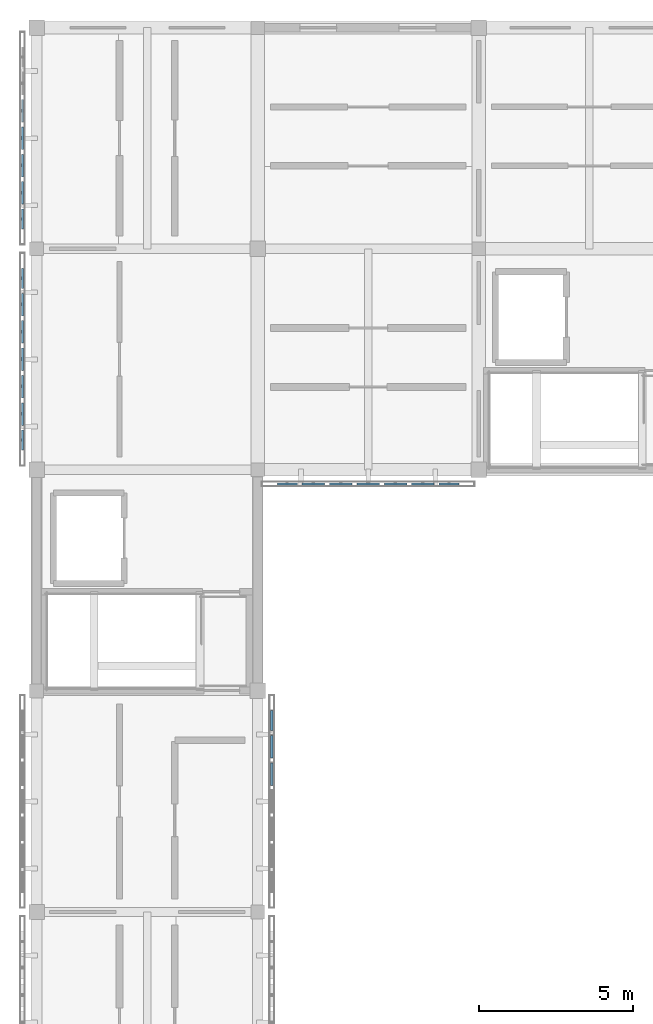
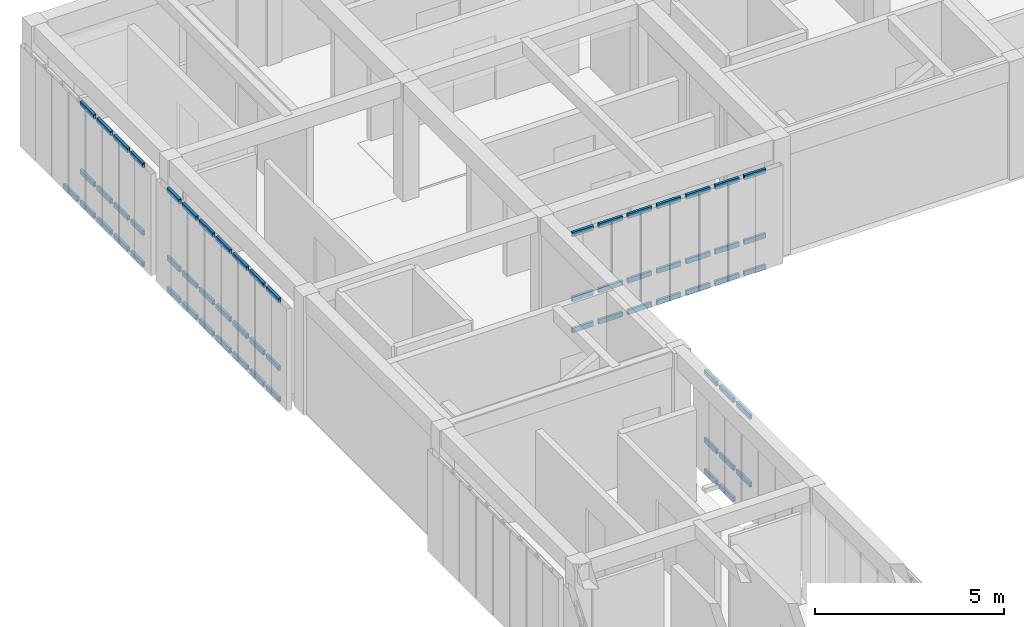
# One storey, part 5 of 14: 63 members, 4 elements without a shape of their own.
"""IFC4 building model written with IfcOpenShell, lengths in metres."""

from ifc_helpers import new_model, si_unit, direction, frame, origin, origin_2d, place, context, subcontext, project, spatial, hollow_rectangle, extrude, material, material_profile, profile_set, type_object, element, aggregate, save


model = new_model("IFC4")

# Units and contexts
model_context = context("Model", 3, precision=1e-05, world=origin(), true_north=direction((0.0, 1.0)))
body_context = subcontext(model_context, "Body", "Model", "MODEL_VIEW")
ifc_project = project(units=[si_unit("LENGTHUNIT", "METRE"), si_unit("AREAUNIT", "SQUARE_METRE"), si_unit("VOLUMEUNIT", "CUBIC_METRE"), si_unit("PLANEANGLEUNIT", "RADIAN"), si_unit("MASSUNIT", "GRAM", prefix="KILO")], contexts=[model_context])

# Site, building, storey
site_placement = place(None, origin())
site = spatial("IfcSite", under=ifc_project, at=site_placement, CompositionType="ELEMENT")
building_placement = place(site_placement, origin())
building = spatial("IfcBuilding", under=site, at=building_placement, Name="Aldebral Square Health Centre", CompositionType="ELEMENT")
storey_placement = place(building_placement, frame((0.0, 0.0, 21.60009765625)))
storey = spatial("IfcBuildingStorey", under=building, at=storey_placement, Name="L05", CompositionType="ELEMENT", Elevation=21.60009765625)

# Curtain wall, members
ifc_material_1 = material(Name="Aluminium and low-E solar glass", Category="aluminium")
curtain_wall_type = type_object("IfcCurtainWallType", Name="CW-FIN-SYS", PredefinedType="USERDEFINED", material=ifc_material_1)
curtain_wall_1_placement = place(storey_placement, origin())
curtain_wall_1 = element("IfcCurtainWall", 1, at=curtain_wall_1_placement, inside=storey, type_object=curtain_wall_type, Name="L05 V4 finned curtain wall L05-V4-00-12-E", ObjectType="SOLAR_CURTAIN_WALL", PredefinedType="USERDEFINED")
ifc_material_2 = material(Name="Anodised aluminium transom", Category="aluminium")
ifc_material_profile = material_profile(ifc_material_2, hollow_rectangle(XDim=0.074951171875, YDim=0.14990234375, WallThickness=0.00390625, at=origin_2d()), Name="CWT 75x150x4")
ifc_profile_set = profile_set([ifc_material_profile], Name="Anodised aluminium transom")
member_type = type_object("IfcMemberType", Name="CWT-STD", PredefinedType="USERDEFINED", material=ifc_profile_set)
member_1_placement = place(storey_placement, frame((7.659912109375, 90.525634765625, 1.0498046875), z_axis=(0.0, 1.0, 0.0), x_axis=(-1.0, 0.0, 0.0)))
member_1 = element("IfcMember", 2, at=member_1_placement, type_object=member_type, Name="CW1 transom 5.2", ObjectType="TRANSOM", PredefinedType="USERDEFINED", context=body_context, shape_type="SweptSolid", body=[
    extrude(hollow_rectangle(XDim=0.074951171875, YDim=0.14990234375, WallThickness=0.00390625, at=origin_2d()), origin(), (0.0, 0.0, 1.0), 0.7314453125),
])
member_2_placement = place(storey_placement, frame((7.659912109375, 90.525634765625, 3.242431640625), z_axis=(0.0, 1.0, 0.0), x_axis=(-1.0, 0.0, 0.0)))
member_2 = element("IfcMember", 3, at=member_2_placement, type_object=member_type, Name="CW1 transom 5.3", ObjectType="TRANSOM", PredefinedType="USERDEFINED", context=body_context, shape_type="SweptSolid", body=[
    extrude(hollow_rectangle(XDim=0.074951171875, YDim=0.14990234375, WallThickness=0.00390625, at=origin_2d()), origin(), (0.0, 0.0, 1.0), 0.7314453125),
])
member_3_placement = place(storey_placement, frame((7.659912109375, 91.417236328125, 0.037353515625), z_axis=(0.0, 1.0, 0.0), x_axis=(-1.0, 0.0, 0.0)))
member_3 = element("IfcMember", 4, at=member_3_placement, type_object=member_type, Name="CW1 transom 6.1", ObjectType="TRANSOM", PredefinedType="USERDEFINED", context=body_context, shape_type="SweptSolid", body=[
    extrude(hollow_rectangle(XDim=0.074951171875, YDim=0.14990234375, WallThickness=0.00390625, at=origin_2d()), origin(), (0.0, 0.0, 1.0), 0.7314453125),
])
member_4_placement = place(storey_placement, frame((7.659912109375, 91.417236328125, 1.0498046875), z_axis=(0.0, 1.0, 0.0), x_axis=(-1.0, 0.0, 0.0)))
member_4 = element("IfcMember", 5, at=member_4_placement, type_object=member_type, Name="CW1 transom 6.2", ObjectType="TRANSOM", PredefinedType="USERDEFINED", context=body_context, shape_type="SweptSolid", body=[
    extrude(hollow_rectangle(XDim=0.074951171875, YDim=0.14990234375, WallThickness=0.00390625, at=origin_2d()), origin(), (0.0, 0.0, 1.0), 0.7314453125),
])
member_5_placement = place(storey_placement, frame((7.659912109375, 91.417236328125, 3.242431640625), z_axis=(0.0, 1.0, 0.0), x_axis=(-1.0, 0.0, 0.0)))
member_5 = element("IfcMember", 6, at=member_5_placement, type_object=member_type, Name="CW1 transom 6.3", ObjectType="TRANSOM", PredefinedType="USERDEFINED", context=body_context, shape_type="SweptSolid", body=[
    extrude(hollow_rectangle(XDim=0.074951171875, YDim=0.14990234375, WallThickness=0.00390625, at=origin_2d()), origin(), (0.0, 0.0, 1.0), 0.7314453125),
])
member_6_placement = place(storey_placement, frame((7.659912109375, 92.30859375, 0.037353515625), z_axis=(0.0, 1.0, 0.0), x_axis=(-1.0, 0.0, 0.0)))
member_6 = element("IfcMember", 7, at=member_6_placement, type_object=member_type, Name="CW1 transom 7.1", ObjectType="TRANSOM", PredefinedType="USERDEFINED", context=body_context, shape_type="SweptSolid", body=[
    extrude(hollow_rectangle(XDim=0.074951171875, YDim=0.14990234375, WallThickness=0.00390625, at=origin_2d()), origin(), (0.0, 0.0, 1.0), 0.6513671875),
])
member_7_placement = place(storey_placement, frame((7.659912109375, 92.30859375, 1.0498046875), z_axis=(0.0, 1.0, 0.0), x_axis=(-1.0, 0.0, 0.0)))
member_7 = element("IfcMember", 8, at=member_7_placement, type_object=member_type, Name="CW1 transom 7.2", ObjectType="TRANSOM", PredefinedType="USERDEFINED", context=body_context, shape_type="SweptSolid", body=[
    extrude(hollow_rectangle(XDim=0.074951171875, YDim=0.14990234375, WallThickness=0.00390625, at=origin_2d()), origin(), (0.0, 0.0, 1.0), 0.6513671875),
])
member_8_placement = place(storey_placement, frame((7.659912109375, 92.30859375, 3.242431640625), z_axis=(0.0, 1.0, 0.0), x_axis=(-1.0, 0.0, 0.0)))
member_8 = element("IfcMember", 9, at=member_8_placement, type_object=member_type, Name="CW1 transom 7.3", ObjectType="TRANSOM", PredefinedType="USERDEFINED", context=body_context, shape_type="SweptSolid", body=[
    extrude(hollow_rectangle(XDim=0.074951171875, YDim=0.14990234375, WallThickness=0.00390625, at=origin_2d()), origin(), (0.0, 0.0, 1.0), 0.6513671875),
])
aggregate(curtain_wall_1, [member_1, member_2, member_3, member_4, member_5, member_6, member_7, member_8])

curtain_wall_2_placement = place(storey_placement, origin())
curtain_wall_2 = element("IfcCurtainWall", 10, at=curtain_wall_2_placement, inside=storey, type_object=curtain_wall_type, Name="L05 V4 finned curtain wall L05-V4-00-14-W", ObjectType="SOLAR_CURTAIN_WALL", PredefinedType="USERDEFINED")
member_9_placement = place(storey_placement, frame((-0.4599609375, 107.360107421875, 0.037353515625), z_axis=(0.0, -1.0, 0.0), x_axis=(1.0, 0.0, 0.0)))
member_9 = element("IfcMember", 11, at=member_9_placement, type_object=member_type, Name="CW1 transom 1.1", ObjectType="TRANSOM", PredefinedType="USERDEFINED", context=body_context, shape_type="SweptSolid", body=[
    extrude(hollow_rectangle(XDim=0.074951171875, YDim=0.14990234375, WallThickness=0.00390625, at=origin_2d()), origin(), (0.0, 0.0, 1.0), 0.651611328125),
])
member_10_placement = place(storey_placement, frame((-0.4599609375, 107.360107421875, 1.0498046875), z_axis=(0.0, -1.0, 0.0), x_axis=(1.0, 0.0, 0.0)))
member_10 = element("IfcMember", 12, at=member_10_placement, type_object=member_type, Name="CW1 transom 1.2", ObjectType="TRANSOM", PredefinedType="USERDEFINED", context=body_context, shape_type="SweptSolid", body=[
    extrude(hollow_rectangle(XDim=0.074951171875, YDim=0.14990234375, WallThickness=0.00390625, at=origin_2d()), origin(), (0.0, 0.0, 1.0), 0.651611328125),
])
member_11_placement = place(storey_placement, frame((-0.4599609375, 107.360107421875, 3.242431640625), z_axis=(0.0, -1.0, 0.0), x_axis=(1.0, 0.0, 0.0)))
member_11 = element("IfcMember", 13, at=member_11_placement, type_object=member_type, Name="CW1 transom 1.3", ObjectType="TRANSOM", PredefinedType="USERDEFINED", context=body_context, shape_type="SweptSolid", body=[
    extrude(hollow_rectangle(XDim=0.074951171875, YDim=0.14990234375, WallThickness=0.00390625, at=origin_2d()), origin(), (0.0, 0.0, 1.0), 0.651611328125),
])
member_12_placement = place(storey_placement, frame((-0.4599609375, 106.548583984375, 0.037353515625), z_axis=(0.0, -1.0, 0.0), x_axis=(1.0, 0.0, 0.0)))
member_12 = element("IfcMember", 14, at=member_12_placement, type_object=member_type, Name="CW1 transom 2.1", ObjectType="TRANSOM", PredefinedType="USERDEFINED", context=body_context, shape_type="SweptSolid", body=[
    extrude(hollow_rectangle(XDim=0.074951171875, YDim=0.14990234375, WallThickness=0.00390625, at=origin_2d()), origin(), (0.0, 0.0, 1.0), 0.7314453125),
])
member_13_placement = place(storey_placement, frame((-0.4599609375, 106.548583984375, 1.0498046875), z_axis=(0.0, -1.0, 0.0), x_axis=(1.0, 0.0, 0.0)))
member_13 = element("IfcMember", 15, at=member_13_placement, type_object=member_type, Name="CW1 transom 2.2", ObjectType="TRANSOM", PredefinedType="USERDEFINED", context=body_context, shape_type="SweptSolid", body=[
    extrude(hollow_rectangle(XDim=0.074951171875, YDim=0.14990234375, WallThickness=0.00390625, at=origin_2d()), origin(), (0.0, 0.0, 1.0), 0.7314453125),
])
member_14_placement = place(storey_placement, frame((-0.4599609375, 106.548583984375, 3.242431640625), z_axis=(0.0, -1.0, 0.0), x_axis=(1.0, 0.0, 0.0)))
member_14 = element("IfcMember", 16, at=member_14_placement, type_object=member_type, Name="CW1 transom 2.3", ObjectType="TRANSOM", PredefinedType="USERDEFINED", context=body_context, shape_type="SweptSolid", body=[
    extrude(hollow_rectangle(XDim=0.074951171875, YDim=0.14990234375, WallThickness=0.00390625, at=origin_2d()), origin(), (0.0, 0.0, 1.0), 0.7314453125),
])
member_15_placement = place(storey_placement, frame((-0.4599609375, 105.6572265625, 0.037353515625), z_axis=(0.0, -1.0, 0.0), x_axis=(1.0, 0.0, 0.0)))
member_15 = element("IfcMember", 17, at=member_15_placement, type_object=member_type, Name="CW1 transom 3.1", ObjectType="TRANSOM", PredefinedType="USERDEFINED", context=body_context, shape_type="SweptSolid", body=[
    extrude(hollow_rectangle(XDim=0.074951171875, YDim=0.14990234375, WallThickness=0.00390625, at=origin_2d()), origin(), (0.0, 0.0, 1.0), 0.7314453125),
])
member_16_placement = place(storey_placement, frame((-0.4599609375, 105.6572265625, 1.0498046875), z_axis=(0.0, -1.0, 0.0), x_axis=(1.0, 0.0, 0.0)))
member_16 = element("IfcMember", 18, at=member_16_placement, type_object=member_type, Name="CW1 transom 3.2", ObjectType="TRANSOM", PredefinedType="USERDEFINED", context=body_context, shape_type="SweptSolid", body=[
    extrude(hollow_rectangle(XDim=0.074951171875, YDim=0.14990234375, WallThickness=0.00390625, at=origin_2d()), origin(), (0.0, 0.0, 1.0), 0.7314453125),
])
member_17_placement = place(storey_placement, frame((-0.4599609375, 105.6572265625, 3.242431640625), z_axis=(0.0, -1.0, 0.0), x_axis=(1.0, 0.0, 0.0)))
member_17 = element("IfcMember", 19, at=member_17_placement, type_object=member_type, Name="CW1 transom 3.3", ObjectType="TRANSOM", PredefinedType="USERDEFINED", context=body_context, shape_type="SweptSolid", body=[
    extrude(hollow_rectangle(XDim=0.074951171875, YDim=0.14990234375, WallThickness=0.00390625, at=origin_2d()), origin(), (0.0, 0.0, 1.0), 0.7314453125),
])
member_18_placement = place(storey_placement, frame((-0.4599609375, 104.765625, 0.037353515625), z_axis=(0.0, -1.0, 0.0), x_axis=(1.0, 0.0, 0.0)))
member_18 = element("IfcMember", 20, at=member_18_placement, type_object=member_type, Name="CW1 transom 4.1", ObjectType="TRANSOM", PredefinedType="USERDEFINED", context=body_context, shape_type="SweptSolid", body=[
    extrude(hollow_rectangle(XDim=0.074951171875, YDim=0.14990234375, WallThickness=0.00390625, at=origin_2d()), origin(), (0.0, 0.0, 1.0), 0.7314453125),
])
member_19_placement = place(storey_placement, frame((-0.4599609375, 104.765625, 1.0498046875), z_axis=(0.0, -1.0, 0.0), x_axis=(1.0, 0.0, 0.0)))
member_19 = element("IfcMember", 21, at=member_19_placement, type_object=member_type, Name="CW1 transom 4.2", ObjectType="TRANSOM", PredefinedType="USERDEFINED", context=body_context, shape_type="SweptSolid", body=[
    extrude(hollow_rectangle(XDim=0.074951171875, YDim=0.14990234375, WallThickness=0.00390625, at=origin_2d()), origin(), (0.0, 0.0, 1.0), 0.7314453125),
])
member_20_placement = place(storey_placement, frame((-0.4599609375, 104.765625, 3.242431640625), z_axis=(0.0, -1.0, 0.0), x_axis=(1.0, 0.0, 0.0)))
member_20 = element("IfcMember", 22, at=member_20_placement, type_object=member_type, Name="CW1 transom 4.3", ObjectType="TRANSOM", PredefinedType="USERDEFINED", context=body_context, shape_type="SweptSolid", body=[
    extrude(hollow_rectangle(XDim=0.074951171875, YDim=0.14990234375, WallThickness=0.00390625, at=origin_2d()), origin(), (0.0, 0.0, 1.0), 0.7314453125),
])
member_21_placement = place(storey_placement, frame((-0.4599609375, 103.874267578125, 0.037353515625), z_axis=(0.0, -1.0, 0.0), x_axis=(1.0, 0.0, 0.0)))
member_21 = element("IfcMember", 23, at=member_21_placement, type_object=member_type, Name="CW1 transom 5.1", ObjectType="TRANSOM", PredefinedType="USERDEFINED", context=body_context, shape_type="SweptSolid", body=[
    extrude(hollow_rectangle(XDim=0.074951171875, YDim=0.14990234375, WallThickness=0.00390625, at=origin_2d()), origin(), (0.0, 0.0, 1.0), 0.7314453125),
])
member_22_placement = place(storey_placement, frame((-0.4599609375, 103.874267578125, 1.0498046875), z_axis=(0.0, -1.0, 0.0), x_axis=(1.0, 0.0, 0.0)))
member_22 = element("IfcMember", 24, at=member_22_placement, type_object=member_type, Name="CW1 transom 5.2", ObjectType="TRANSOM", PredefinedType="USERDEFINED", context=body_context, shape_type="SweptSolid", body=[
    extrude(hollow_rectangle(XDim=0.074951171875, YDim=0.14990234375, WallThickness=0.00390625, at=origin_2d()), origin(), (0.0, 0.0, 1.0), 0.7314453125),
])
member_23_placement = place(storey_placement, frame((-0.4599609375, 103.874267578125, 3.242431640625), z_axis=(0.0, -1.0, 0.0), x_axis=(1.0, 0.0, 0.0)))
member_23 = element("IfcMember", 25, at=member_23_placement, type_object=member_type, Name="CW1 transom 5.3", ObjectType="TRANSOM", PredefinedType="USERDEFINED", context=body_context, shape_type="SweptSolid", body=[
    extrude(hollow_rectangle(XDim=0.074951171875, YDim=0.14990234375, WallThickness=0.00390625, at=origin_2d()), origin(), (0.0, 0.0, 1.0), 0.7314453125),
])
member_24_placement = place(storey_placement, frame((-0.4599609375, 102.98291015625, 0.037353515625), z_axis=(0.0, -1.0, 0.0), x_axis=(1.0, 0.0, 0.0)))
member_24 = element("IfcMember", 26, at=member_24_placement, type_object=member_type, Name="CW1 transom 6.1", ObjectType="TRANSOM", PredefinedType="USERDEFINED", context=body_context, shape_type="SweptSolid", body=[
    extrude(hollow_rectangle(XDim=0.074951171875, YDim=0.14990234375, WallThickness=0.00390625, at=origin_2d()), origin(), (0.0, 0.0, 1.0), 0.7314453125),
])
member_25_placement = place(storey_placement, frame((-0.4599609375, 102.98291015625, 1.0498046875), z_axis=(0.0, -1.0, 0.0), x_axis=(1.0, 0.0, 0.0)))
member_25 = element("IfcMember", 27, at=member_25_placement, type_object=member_type, Name="CW1 transom 6.2", ObjectType="TRANSOM", PredefinedType="USERDEFINED", context=body_context, shape_type="SweptSolid", body=[
    extrude(hollow_rectangle(XDim=0.074951171875, YDim=0.14990234375, WallThickness=0.00390625, at=origin_2d()), origin(), (0.0, 0.0, 1.0), 0.7314453125),
])
member_26_placement = place(storey_placement, frame((-0.4599609375, 102.98291015625, 3.242431640625), z_axis=(0.0, -1.0, 0.0), x_axis=(1.0, 0.0, 0.0)))
member_26 = element("IfcMember", 28, at=member_26_placement, type_object=member_type, Name="CW1 transom 6.3", ObjectType="TRANSOM", PredefinedType="USERDEFINED", context=body_context, shape_type="SweptSolid", body=[
    extrude(hollow_rectangle(XDim=0.074951171875, YDim=0.14990234375, WallThickness=0.00390625, at=origin_2d()), origin(), (0.0, 0.0, 1.0), 0.7314453125),
])
member_27_placement = place(storey_placement, frame((-0.4599609375, 102.09130859375, 0.037353515625), z_axis=(0.0, -1.0, 0.0), x_axis=(1.0, 0.0, 0.0)))
member_27 = element("IfcMember", 29, at=member_27_placement, type_object=member_type, Name="CW1 transom 7.1", ObjectType="TRANSOM", PredefinedType="USERDEFINED", context=body_context, shape_type="SweptSolid", body=[
    extrude(hollow_rectangle(XDim=0.074951171875, YDim=0.14990234375, WallThickness=0.00390625, at=origin_2d()), origin(), (0.0, 0.0, 1.0), 0.6513671875),
])
member_28_placement = place(storey_placement, frame((-0.4599609375, 102.09130859375, 1.0498046875), z_axis=(0.0, -1.0, 0.0), x_axis=(1.0, 0.0, 0.0)))
member_28 = element("IfcMember", 30, at=member_28_placement, type_object=member_type, Name="CW1 transom 7.2", ObjectType="TRANSOM", PredefinedType="USERDEFINED", context=body_context, shape_type="SweptSolid", body=[
    extrude(hollow_rectangle(XDim=0.074951171875, YDim=0.14990234375, WallThickness=0.00390625, at=origin_2d()), origin(), (0.0, 0.0, 1.0), 0.6513671875),
])
member_29_placement = place(storey_placement, frame((-0.4599609375, 102.09130859375, 3.242431640625), z_axis=(0.0, -1.0, 0.0), x_axis=(1.0, 0.0, 0.0)))
member_29 = element("IfcMember", 31, at=member_29_placement, type_object=member_type, Name="CW1 transom 7.3", ObjectType="TRANSOM", PredefinedType="USERDEFINED", context=body_context, shape_type="SweptSolid", body=[
    extrude(hollow_rectangle(XDim=0.074951171875, YDim=0.14990234375, WallThickness=0.00390625, at=origin_2d()), origin(), (0.0, 0.0, 1.0), 0.6513671875),
])
aggregate(curtain_wall_2, [member_9, member_10, member_11, member_12, member_13, member_14, member_15, member_16, member_17, member_18, member_19, member_20, member_21, member_22, member_23, member_24, member_25, member_26, member_27, member_28, member_29])

curtain_wall_3_placement = place(storey_placement, origin())
curtain_wall_3 = element("IfcCurtainWall", 32, at=curtain_wall_3_placement, inside=storey, type_object=curtain_wall_type, Name="L05 V4 finned curtain wall L05-V4-00-15-W", ObjectType="SOLAR_CURTAIN_WALL", PredefinedType="USERDEFINED")
member_30_placement = place(storey_placement, frame((-0.4599609375, 112.857177734375, 0.037353515625), z_axis=(0.0, -1.0, 0.0), x_axis=(1.0, 0.0, 0.0)))
member_30 = element("IfcMember", 33, at=member_30_placement, type_object=member_type, Name="CW1 transom 3.1", ObjectType="TRANSOM", PredefinedType="USERDEFINED", context=body_context, shape_type="SweptSolid", body=[
    extrude(hollow_rectangle(XDim=0.074951171875, YDim=0.14990234375, WallThickness=0.00390625, at=origin_2d()), origin(), (0.0, 0.0, 1.0), 0.7314453125),
])
member_31_placement = place(storey_placement, frame((-0.4599609375, 111.9658203125, 0.037353515625), z_axis=(0.0, -1.0, 0.0), x_axis=(1.0, 0.0, 0.0)))
member_31 = element("IfcMember", 34, at=member_31_placement, type_object=member_type, Name="CW1 transom 4.1", ObjectType="TRANSOM", PredefinedType="USERDEFINED", context=body_context, shape_type="SweptSolid", body=[
    extrude(hollow_rectangle(XDim=0.074951171875, YDim=0.14990234375, WallThickness=0.00390625, at=origin_2d()), origin(), (0.0, 0.0, 1.0), 0.7314453125),
])
member_32_placement = place(storey_placement, frame((-0.4599609375, 111.9658203125, 1.0498046875), z_axis=(0.0, -1.0, 0.0), x_axis=(1.0, 0.0, 0.0)))
member_32 = element("IfcMember", 35, at=member_32_placement, type_object=member_type, Name="CW1 transom 4.2", ObjectType="TRANSOM", PredefinedType="USERDEFINED", context=body_context, shape_type="SweptSolid", body=[
    extrude(hollow_rectangle(XDim=0.074951171875, YDim=0.14990234375, WallThickness=0.00390625, at=origin_2d()), origin(), (0.0, 0.0, 1.0), 0.7314453125),
])
member_33_placement = place(storey_placement, frame((-0.4599609375, 111.9658203125, 3.242431640625), z_axis=(0.0, -1.0, 0.0), x_axis=(1.0, 0.0, 0.0)))
member_33 = element("IfcMember", 36, at=member_33_placement, type_object=member_type, Name="CW1 transom 4.3", ObjectType="TRANSOM", PredefinedType="USERDEFINED", context=body_context, shape_type="SweptSolid", body=[
    extrude(hollow_rectangle(XDim=0.074951171875, YDim=0.14990234375, WallThickness=0.00390625, at=origin_2d()), origin(), (0.0, 0.0, 1.0), 0.7314453125),
])
member_34_placement = place(storey_placement, frame((-0.4599609375, 111.07421875, 0.037353515625), z_axis=(0.0, -1.0, 0.0), x_axis=(1.0, 0.0, 0.0)))
member_34 = element("IfcMember", 37, at=member_34_placement, type_object=member_type, Name="CW1 transom 5.1", ObjectType="TRANSOM", PredefinedType="USERDEFINED", context=body_context, shape_type="SweptSolid", body=[
    extrude(hollow_rectangle(XDim=0.074951171875, YDim=0.14990234375, WallThickness=0.00390625, at=origin_2d()), origin(), (0.0, 0.0, 1.0), 0.7314453125),
])
member_35_placement = place(storey_placement, frame((-0.4599609375, 111.07421875, 1.0498046875), z_axis=(0.0, -1.0, 0.0), x_axis=(1.0, 0.0, 0.0)))
member_35 = element("IfcMember", 38, at=member_35_placement, type_object=member_type, Name="CW1 transom 5.2", ObjectType="TRANSOM", PredefinedType="USERDEFINED", context=body_context, shape_type="SweptSolid", body=[
    extrude(hollow_rectangle(XDim=0.074951171875, YDim=0.14990234375, WallThickness=0.00390625, at=origin_2d()), origin(), (0.0, 0.0, 1.0), 0.7314453125),
])
member_36_placement = place(storey_placement, frame((-0.4599609375, 111.07421875, 3.242431640625), z_axis=(0.0, -1.0, 0.0), x_axis=(1.0, 0.0, 0.0)))
member_36 = element("IfcMember", 39, at=member_36_placement, type_object=member_type, Name="CW1 transom 5.3", ObjectType="TRANSOM", PredefinedType="USERDEFINED", context=body_context, shape_type="SweptSolid", body=[
    extrude(hollow_rectangle(XDim=0.074951171875, YDim=0.14990234375, WallThickness=0.00390625, at=origin_2d()), origin(), (0.0, 0.0, 1.0), 0.7314453125),
])
member_37_placement = place(storey_placement, frame((-0.4599609375, 110.182861328125, 0.037353515625), z_axis=(0.0, -1.0, 0.0), x_axis=(1.0, 0.0, 0.0)))
member_37 = element("IfcMember", 40, at=member_37_placement, type_object=member_type, Name="CW1 transom 6.1", ObjectType="TRANSOM", PredefinedType="USERDEFINED", context=body_context, shape_type="SweptSolid", body=[
    extrude(hollow_rectangle(XDim=0.074951171875, YDim=0.14990234375, WallThickness=0.00390625, at=origin_2d()), origin(), (0.0, 0.0, 1.0), 0.7314453125),
])
member_38_placement = place(storey_placement, frame((-0.4599609375, 110.182861328125, 1.0498046875), z_axis=(0.0, -1.0, 0.0), x_axis=(1.0, 0.0, 0.0)))
member_38 = element("IfcMember", 41, at=member_38_placement, type_object=member_type, Name="CW1 transom 6.2", ObjectType="TRANSOM", PredefinedType="USERDEFINED", context=body_context, shape_type="SweptSolid", body=[
    extrude(hollow_rectangle(XDim=0.074951171875, YDim=0.14990234375, WallThickness=0.00390625, at=origin_2d()), origin(), (0.0, 0.0, 1.0), 0.7314453125),
])
member_39_placement = place(storey_placement, frame((-0.4599609375, 110.182861328125, 3.242431640625), z_axis=(0.0, -1.0, 0.0), x_axis=(1.0, 0.0, 0.0)))
member_39 = element("IfcMember", 42, at=member_39_placement, type_object=member_type, Name="CW1 transom 6.3", ObjectType="TRANSOM", PredefinedType="USERDEFINED", context=body_context, shape_type="SweptSolid", body=[
    extrude(hollow_rectangle(XDim=0.074951171875, YDim=0.14990234375, WallThickness=0.00390625, at=origin_2d()), origin(), (0.0, 0.0, 1.0), 0.7314453125),
])
member_40_placement = place(storey_placement, frame((-0.4599609375, 109.29150390625, 0.037353515625), z_axis=(0.0, -1.0, 0.0), x_axis=(1.0, 0.0, 0.0)))
member_40 = element("IfcMember", 43, at=member_40_placement, type_object=member_type, Name="CW1 transom 7.1", ObjectType="TRANSOM", PredefinedType="USERDEFINED", context=body_context, shape_type="SweptSolid", body=[
    extrude(hollow_rectangle(XDim=0.074951171875, YDim=0.14990234375, WallThickness=0.00390625, at=origin_2d()), origin(), (0.0, 0.0, 1.0), 0.651611328125),
])
member_41_placement = place(storey_placement, frame((-0.4599609375, 109.29150390625, 1.0498046875), z_axis=(0.0, -1.0, 0.0), x_axis=(1.0, 0.0, 0.0)))
member_41 = element("IfcMember", 44, at=member_41_placement, type_object=member_type, Name="CW1 transom 7.2", ObjectType="TRANSOM", PredefinedType="USERDEFINED", context=body_context, shape_type="SweptSolid", body=[
    extrude(hollow_rectangle(XDim=0.074951171875, YDim=0.14990234375, WallThickness=0.00390625, at=origin_2d()), origin(), (0.0, 0.0, 1.0), 0.651611328125),
])
member_42_placement = place(storey_placement, frame((-0.4599609375, 109.29150390625, 3.242431640625), z_axis=(0.0, -1.0, 0.0), x_axis=(1.0, 0.0, 0.0)))
member_42 = element("IfcMember", 45, at=member_42_placement, type_object=member_type, Name="CW1 transom 7.3", ObjectType="TRANSOM", PredefinedType="USERDEFINED", context=body_context, shape_type="SweptSolid", body=[
    extrude(hollow_rectangle(XDim=0.074951171875, YDim=0.14990234375, WallThickness=0.00390625, at=origin_2d()), origin(), (0.0, 0.0, 1.0), 0.651611328125),
])
aggregate(curtain_wall_3, [member_30, member_31, member_32, member_33, member_34, member_35, member_36, member_37, member_38, member_39, member_40, member_41, member_42])

curtain_wall_4_placement = place(storey_placement, origin())
curtain_wall_4 = element("IfcCurtainWall", 46, at=curtain_wall_4_placement, inside=storey, type_object=curtain_wall_type, Name="L05 V4 finned curtain wall L05-V4-01-14-S", ObjectType="SOLAR_CURTAIN_WALL", PredefinedType="USERDEFINED")
member_43_placement = place(storey_placement, frame((7.840087890625, 100.340087890625, 0.037353515625), z_axis=(1.0, 0.0, 0.0), x_axis=(0.0, 1.0, 0.0)))
member_43 = element("IfcMember", 47, at=member_43_placement, type_object=member_type, Name="CW1 transom 1.1", ObjectType="TRANSOM", PredefinedType="USERDEFINED", context=body_context, shape_type="SweptSolid", body=[
    extrude(hollow_rectangle(XDim=0.074951171875, YDim=0.14990234375, WallThickness=0.00390625, at=origin_2d()), origin(), (0.0, 0.0, 1.0), 0.6513671875),
])
member_44_placement = place(storey_placement, frame((7.840087890625, 100.340087890625, 1.0498046875), z_axis=(1.0, 0.0, 0.0), x_axis=(0.0, 1.0, 0.0)))
member_44 = element("IfcMember", 48, at=member_44_placement, type_object=member_type, Name="CW1 transom 1.2", ObjectType="TRANSOM", PredefinedType="USERDEFINED", context=body_context, shape_type="SweptSolid", body=[
    extrude(hollow_rectangle(XDim=0.074951171875, YDim=0.14990234375, WallThickness=0.00390625, at=origin_2d()), origin(), (0.0, 0.0, 1.0), 0.6513671875),
])
member_45_placement = place(storey_placement, frame((7.840087890625, 100.340087890625, 3.142333984375), z_axis=(1.0, 0.0, 0.0), x_axis=(0.0, 1.0, 0.0)))
member_45 = element("IfcMember", 49, at=member_45_placement, type_object=member_type, Name="CW1 transom 1.3", ObjectType="TRANSOM", PredefinedType="USERDEFINED", context=body_context, shape_type="SweptSolid", body=[
    extrude(hollow_rectangle(XDim=0.074951171875, YDim=0.14990234375, WallThickness=0.00390625, at=origin_2d()), origin(), (0.0, 0.0, 1.0), 0.6513671875),
])
member_46_placement = place(storey_placement, frame((8.6513671875, 100.340087890625, 0.037353515625), z_axis=(1.0, 0.0, 0.0), x_axis=(0.0, 1.0, 0.0)))
member_46 = element("IfcMember", 50, at=member_46_placement, type_object=member_type, Name="CW1 transom 2.1", ObjectType="TRANSOM", PredefinedType="USERDEFINED", context=body_context, shape_type="SweptSolid", body=[
    extrude(hollow_rectangle(XDim=0.074951171875, YDim=0.14990234375, WallThickness=0.00390625, at=origin_2d()), origin(), (0.0, 0.0, 1.0), 0.7314453125),
])
member_47_placement = place(storey_placement, frame((8.6513671875, 100.340087890625, 1.0498046875), z_axis=(1.0, 0.0, 0.0), x_axis=(0.0, 1.0, 0.0)))
member_47 = element("IfcMember", 51, at=member_47_placement, type_object=member_type, Name="CW1 transom 2.2", ObjectType="TRANSOM", PredefinedType="USERDEFINED", context=body_context, shape_type="SweptSolid", body=[
    extrude(hollow_rectangle(XDim=0.074951171875, YDim=0.14990234375, WallThickness=0.00390625, at=origin_2d()), origin(), (0.0, 0.0, 1.0), 0.7314453125),
])
member_48_placement = place(storey_placement, frame((8.6513671875, 100.340087890625, 3.142333984375), z_axis=(1.0, 0.0, 0.0), x_axis=(0.0, 1.0, 0.0)))
member_48 = element("IfcMember", 52, at=member_48_placement, type_object=member_type, Name="CW1 transom 2.3", ObjectType="TRANSOM", PredefinedType="USERDEFINED", context=body_context, shape_type="SweptSolid", body=[
    extrude(hollow_rectangle(XDim=0.074951171875, YDim=0.14990234375, WallThickness=0.00390625, at=origin_2d()), origin(), (0.0, 0.0, 1.0), 0.7314453125),
])
member_49_placement = place(storey_placement, frame((9.54296875, 100.340087890625, 0.037353515625), z_axis=(1.0, 0.0, 0.0), x_axis=(0.0, 1.0, 0.0)))
member_49 = element("IfcMember", 53, at=member_49_placement, type_object=member_type, Name="CW1 transom 3.1", ObjectType="TRANSOM", PredefinedType="USERDEFINED", context=body_context, shape_type="SweptSolid", body=[
    extrude(hollow_rectangle(XDim=0.074951171875, YDim=0.14990234375, WallThickness=0.00390625, at=origin_2d()), origin(), (0.0, 0.0, 1.0), 0.731201171875),
])
member_50_placement = place(storey_placement, frame((9.54296875, 100.340087890625, 1.0498046875), z_axis=(1.0, 0.0, 0.0), x_axis=(0.0, 1.0, 0.0)))
member_50 = element("IfcMember", 54, at=member_50_placement, type_object=member_type, Name="CW1 transom 3.2", ObjectType="TRANSOM", PredefinedType="USERDEFINED", context=body_context, shape_type="SweptSolid", body=[
    extrude(hollow_rectangle(XDim=0.074951171875, YDim=0.14990234375, WallThickness=0.00390625, at=origin_2d()), origin(), (0.0, 0.0, 1.0), 0.731201171875),
])
member_51_placement = place(storey_placement, frame((9.54296875, 100.340087890625, 3.142333984375), z_axis=(1.0, 0.0, 0.0), x_axis=(0.0, 1.0, 0.0)))
member_51 = element("IfcMember", 55, at=member_51_placement, type_object=member_type, Name="CW1 transom 3.3", ObjectType="TRANSOM", PredefinedType="USERDEFINED", context=body_context, shape_type="SweptSolid", body=[
    extrude(hollow_rectangle(XDim=0.074951171875, YDim=0.14990234375, WallThickness=0.00390625, at=origin_2d()), origin(), (0.0, 0.0, 1.0), 0.731201171875),
])
member_52_placement = place(storey_placement, frame((10.434326171875, 100.340087890625, 0.037353515625), z_axis=(1.0, 0.0, 0.0), x_axis=(0.0, 1.0, 0.0)))
member_52 = element("IfcMember", 56, at=member_52_placement, type_object=member_type, Name="CW1 transom 4.1", ObjectType="TRANSOM", PredefinedType="USERDEFINED", context=body_context, shape_type="SweptSolid", body=[
    extrude(hollow_rectangle(XDim=0.074951171875, YDim=0.14990234375, WallThickness=0.00390625, at=origin_2d()), origin(), (0.0, 0.0, 1.0), 0.7314453125),
])
member_53_placement = place(storey_placement, frame((10.434326171875, 100.340087890625, 1.0498046875), z_axis=(1.0, 0.0, 0.0), x_axis=(0.0, 1.0, 0.0)))
member_53 = element("IfcMember", 57, at=member_53_placement, type_object=member_type, Name="CW1 transom 4.2", ObjectType="TRANSOM", PredefinedType="USERDEFINED", context=body_context, shape_type="SweptSolid", body=[
    extrude(hollow_rectangle(XDim=0.074951171875, YDim=0.14990234375, WallThickness=0.00390625, at=origin_2d()), origin(), (0.0, 0.0, 1.0), 0.7314453125),
])
member_54_placement = place(storey_placement, frame((10.434326171875, 100.340087890625, 3.142333984375), z_axis=(1.0, 0.0, 0.0), x_axis=(0.0, 1.0, 0.0)))
member_54 = element("IfcMember", 58, at=member_54_placement, type_object=member_type, Name="CW1 transom 4.3", ObjectType="TRANSOM", PredefinedType="USERDEFINED", context=body_context, shape_type="SweptSolid", body=[
    extrude(hollow_rectangle(XDim=0.074951171875, YDim=0.14990234375, WallThickness=0.00390625, at=origin_2d()), origin(), (0.0, 0.0, 1.0), 0.7314453125),
])
member_55_placement = place(storey_placement, frame((11.32568359375, 100.340087890625, 0.037353515625), z_axis=(1.0, 0.0, 0.0), x_axis=(0.0, 1.0, 0.0)))
member_55 = element("IfcMember", 59, at=member_55_placement, type_object=member_type, Name="CW1 transom 5.1", ObjectType="TRANSOM", PredefinedType="USERDEFINED", context=body_context, shape_type="SweptSolid", body=[
    extrude(hollow_rectangle(XDim=0.074951171875, YDim=0.14990234375, WallThickness=0.00390625, at=origin_2d()), origin(), (0.0, 0.0, 1.0), 0.7314453125),
])
member_56_placement = place(storey_placement, frame((11.32568359375, 100.340087890625, 1.0498046875), z_axis=(1.0, 0.0, 0.0), x_axis=(0.0, 1.0, 0.0)))
member_56 = element("IfcMember", 60, at=member_56_placement, type_object=member_type, Name="CW1 transom 5.2", ObjectType="TRANSOM", PredefinedType="USERDEFINED", context=body_context, shape_type="SweptSolid", body=[
    extrude(hollow_rectangle(XDim=0.074951171875, YDim=0.14990234375, WallThickness=0.00390625, at=origin_2d()), origin(), (0.0, 0.0, 1.0), 0.7314453125),
])
member_57_placement = place(storey_placement, frame((11.32568359375, 100.340087890625, 3.142333984375), z_axis=(1.0, 0.0, 0.0), x_axis=(0.0, 1.0, 0.0)))
member_57 = element("IfcMember", 61, at=member_57_placement, type_object=member_type, Name="CW1 transom 5.3", ObjectType="TRANSOM", PredefinedType="USERDEFINED", context=body_context, shape_type="SweptSolid", body=[
    extrude(hollow_rectangle(XDim=0.074951171875, YDim=0.14990234375, WallThickness=0.00390625, at=origin_2d()), origin(), (0.0, 0.0, 1.0), 0.7314453125),
])
member_58_placement = place(storey_placement, frame((12.217041015625, 100.340087890625, 0.037353515625), z_axis=(1.0, 0.0, 0.0), x_axis=(0.0, 1.0, 0.0)))
member_58 = element("IfcMember", 62, at=member_58_placement, type_object=member_type, Name="CW1 transom 6.1", ObjectType="TRANSOM", PredefinedType="USERDEFINED", context=body_context, shape_type="SweptSolid", body=[
    extrude(hollow_rectangle(XDim=0.074951171875, YDim=0.14990234375, WallThickness=0.00390625, at=origin_2d()), origin(), (0.0, 0.0, 1.0), 0.7314453125),
])
member_59_placement = place(storey_placement, frame((12.217041015625, 100.340087890625, 1.0498046875), z_axis=(1.0, 0.0, 0.0), x_axis=(0.0, 1.0, 0.0)))
member_59 = element("IfcMember", 63, at=member_59_placement, type_object=member_type, Name="CW1 transom 6.2", ObjectType="TRANSOM", PredefinedType="USERDEFINED", context=body_context, shape_type="SweptSolid", body=[
    extrude(hollow_rectangle(XDim=0.074951171875, YDim=0.14990234375, WallThickness=0.00390625, at=origin_2d()), origin(), (0.0, 0.0, 1.0), 0.7314453125),
])
member_60_placement = place(storey_placement, frame((12.217041015625, 100.340087890625, 3.142333984375), z_axis=(1.0, 0.0, 0.0), x_axis=(0.0, 1.0, 0.0)))
member_60 = element("IfcMember", 64, at=member_60_placement, type_object=member_type, Name="CW1 transom 6.3", ObjectType="TRANSOM", PredefinedType="USERDEFINED", context=body_context, shape_type="SweptSolid", body=[
    extrude(hollow_rectangle(XDim=0.074951171875, YDim=0.14990234375, WallThickness=0.00390625, at=origin_2d()), origin(), (0.0, 0.0, 1.0), 0.7314453125),
])
member_61_placement = place(storey_placement, frame((13.108642578125, 100.340087890625, 0.037353515625), z_axis=(1.0, 0.0, 0.0), x_axis=(0.0, 1.0, 0.0)))
member_61 = element("IfcMember", 65, at=member_61_placement, type_object=member_type, Name="CW1 transom 7.1", ObjectType="TRANSOM", PredefinedType="USERDEFINED", context=body_context, shape_type="SweptSolid", body=[
    extrude(hollow_rectangle(XDim=0.074951171875, YDim=0.14990234375, WallThickness=0.00390625, at=origin_2d()), origin(), (0.0, 0.0, 1.0), 0.6513671875),
])
member_62_placement = place(storey_placement, frame((13.108642578125, 100.340087890625, 1.0498046875), z_axis=(1.0, 0.0, 0.0), x_axis=(0.0, 1.0, 0.0)))
member_62 = element("IfcMember", 66, at=member_62_placement, type_object=member_type, Name="CW1 transom 7.2", ObjectType="TRANSOM", PredefinedType="USERDEFINED", context=body_context, shape_type="SweptSolid", body=[
    extrude(hollow_rectangle(XDim=0.074951171875, YDim=0.14990234375, WallThickness=0.00390625, at=origin_2d()), origin(), (0.0, 0.0, 1.0), 0.6513671875),
])
member_63_placement = place(storey_placement, frame((13.108642578125, 100.340087890625, 3.142333984375), z_axis=(1.0, 0.0, 0.0), x_axis=(0.0, 1.0, 0.0)))
member_63 = element("IfcMember", 67, at=member_63_placement, type_object=member_type, Name="CW1 transom 7.3", ObjectType="TRANSOM", PredefinedType="USERDEFINED", context=body_context, shape_type="SweptSolid", body=[
    extrude(hollow_rectangle(XDim=0.074951171875, YDim=0.14990234375, WallThickness=0.00390625, at=origin_2d()), origin(), (0.0, 0.0, 1.0), 0.6513671875),
])
aggregate(curtain_wall_4, [member_43, member_44, member_45, member_46, member_47, member_48, member_49, member_50, member_51, member_52, member_53, member_54, member_55, member_56, member_57, member_58, member_59, member_60, member_61, member_62, member_63])

save(model, "model.ifc")
